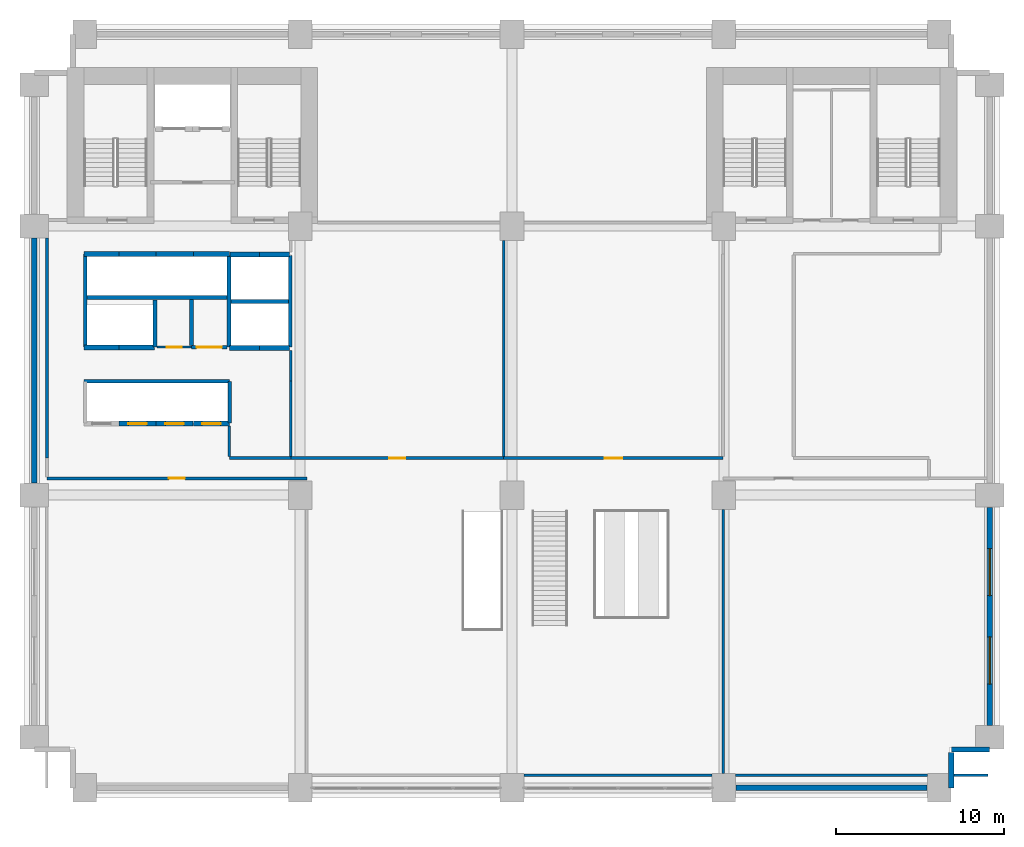
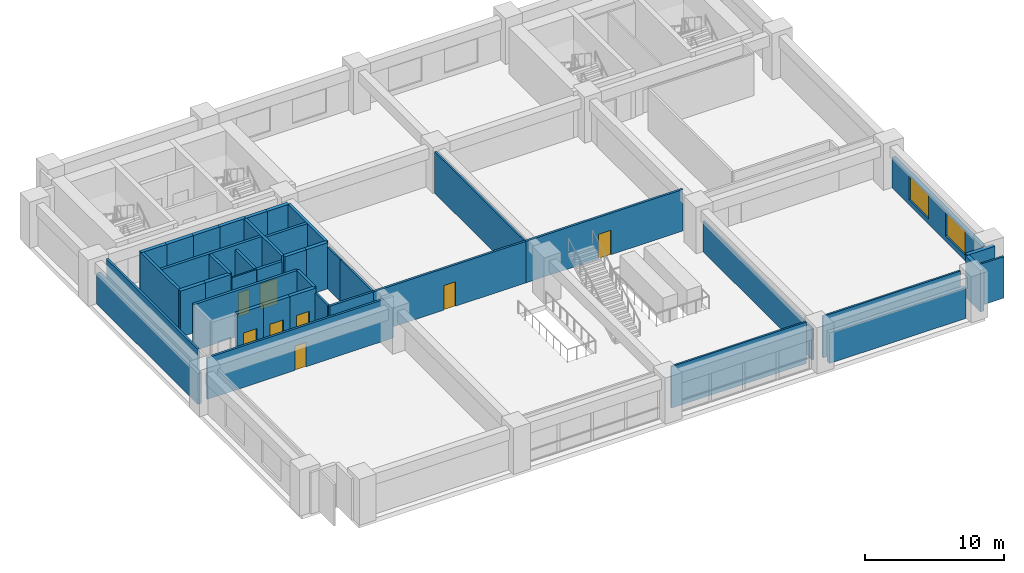
# One storey, part 5 of 11: 42 walls, 8 doors, 2 windows, 10 openings.
"""IFC4 building model written with IfcOpenShell, lengths in metres."""

from ifc_helpers import new_model, si_unit, direction, frame, frame_2d, origin, place, context, subcontext, project, spatial, rectangle, extrude, material, layer, layer_set, type_object, element, fill, save


model = new_model("IFC4")

# Units and contexts
model_context = context("Model", 3, precision=1e-05, world=origin(), true_north=direction((0.0, 1.0)))
body_context = subcontext(model_context, "Body", "Model", "MODEL_VIEW")
ifc_project = project(units=[si_unit("LENGTHUNIT", "METRE"), si_unit("AREAUNIT", "SQUARE_METRE"), si_unit("VOLUMEUNIT", "CUBIC_METRE"), si_unit("PLANEANGLEUNIT", "RADIAN"), si_unit("MASSUNIT", "GRAM", prefix="KILO")], contexts=[model_context])

# Site, building, storey
site_placement = place(None, origin())
site = spatial("IfcSite", under=ifc_project, at=site_placement, CompositionType="ELEMENT")
building_placement = place(site_placement, origin())
building = spatial("IfcBuilding", under=site, at=building_placement, Name="Sulina Concourse Tower", CompositionType="ELEMENT")
storey_placement = place(building_placement, frame((0.0, 0.0, 9.449951171875)))
storey = spatial("IfcBuildingStorey", under=building, at=storey_placement, Name="L02", CompositionType="ELEMENT", Elevation=9.449951171875)

# Walls
ifc_material_1 = material(Name="Concrete C50/60", Category="concrete")
ifc_layer_1 = layer(ifc_material_1, 0.219970703125)
ifc_layer_set_1 = layer_set([ifc_layer_1], Name="Concrete C50/60")
wall_type_1 = type_object("IfcWallType", Name="Core Lift Hoistway Divider Wall 220mm", PredefinedType="SOLIDWALL", material=ifc_layer_set_1)
wall_1_placement = place(storey_placement, frame((3.550048828125, 29.75, 0.0), z_axis=(0.0, 0.0, 1.0), x_axis=(1.0, 0.0, 0.0)))
element("IfcWall", 1, at=wall_1_placement, inside=storey, type_object=wall_type_1, Name="L02 shaft divider wall HW-LP3-S", PredefinedType="SOLIDWALL", context=body_context, shape_type="SweptSolid", body=[
    extrude(rectangle(XDim=8.64990234375, YDim=0.219970703125, at=frame_2d((4.324951171875, 0.0))), origin(), (0.0, 0.0, 1.0), 4.050048828125),
])
wall_2_placement = place(storey_placement, frame((3.6298828125, 26.800048828125, 0.0), z_axis=(0.0, 0.0, 1.0), x_axis=(0.0, 1.0, 0.0)))
element("IfcWall", 2, at=wall_2_placement, inside=storey, type_object=wall_type_1, Name="L02 shaft divider wall HW-LP3-W", PredefinedType="SOLIDWALL", context=body_context, shape_type="SweptSolid", body=[
    extrude(rectangle(XDim=5.550048828125, YDim=0.219970703125, at=frame_2d((2.77490234375, 0.0))), origin(), (0.0, 0.0, 1.0), 4.050048828125),
])
wall_3_placement = place(storey_placement, frame((7.780029296875, 26.800048828125, 0.0), z_axis=(0.0, 0.0, 1.0), x_axis=(0.0, 1.0, 0.0)))
element("IfcWall", 3, at=wall_3_placement, inside=storey, type_object=wall_type_1, Name="L02 shaft divider wall HW-EXP-E", PredefinedType="SOLIDWALL", context=body_context, shape_type="SweptSolid", body=[
    extrude(rectangle(XDim=2.800048828125, YDim=0.219970703125, at=frame_2d((1.39990234375, 0.0))), origin(), (0.0, 0.0, 1.0), 4.050048828125),
])
for number, where, z_axis, x_axis, name in (
    (4, (12.179931640625, 26.800048828125, 0.0), (0.0, 0.0, 1.0), (0.0, 1.0, 0.0), "L02 shaft divider wall HW-LP2-W"),
    (5, (15.820068359375, 26.800048828125, 0.0), (0.0, 0.0, 1.0), (0.0, 1.0, 0.0), "L02 shaft divider wall HW-LP2-E"),
):
    element("IfcWall", number, at=place(storey_placement, frame(where, z_axis=z_axis, x_axis=x_axis)), inside=storey, type_object=wall_type_1, Name=name, PredefinedType="SOLIDWALL", context=body_context, shape_type="SweptSolid", body=[
        extrude(rectangle(XDim=5.449951171875, YDim=0.219970703125, at=frame_2d((2.72509765625, 0.0))), origin(), (0.0, 0.0, 1.0), 4.050048828125),
    ])
wall_4_placement = place(storey_placement, frame((12.300048828125, 29.52001953125, 0.0), z_axis=(0.0, 0.0, 1.0), x_axis=(1.0, 0.0, 0.0)))
element("IfcWall", 6, at=wall_4_placement, inside=storey, type_object=wall_type_1, Name="L02 shaft divider wall HW-LP2-M", PredefinedType="SOLIDWALL", context=body_context, shape_type="SweptSolid", body=[
    extrude(rectangle(XDim=3.39990234375, YDim=0.219970703125, at=frame_2d((1.699951171875, 0.0))), origin(), (0.0, 0.0, 1.0), 4.050048828125),
])
wall_5_placement = place(storey_placement, frame((3.550048828125, 24.780029296875, 0.0), z_axis=(0.0, 0.0, 1.0), x_axis=(1.0, 0.0, 0.0)))
element("IfcWall", 7, at=wall_5_placement, inside=storey, type_object=wall_type_1, Name="L02 shaft divider wall HW-LP1-N", PredefinedType="SOLIDWALL", context=body_context, shape_type="SweptSolid", body=[
    extrude(rectangle(XDim=8.64990234375, YDim=0.219970703125, at=frame_2d((4.324951171875, 0.0))), origin(), (0.0, 0.0, 1.0), 4.050048828125),
])
wall_6_placement = place(storey_placement, frame((12.219970703125, 22.300048828125, 0.0), z_axis=(0.0, 0.0, 1.0), x_axis=(0.0, 1.0, 0.0)))
element("IfcWall", 8, at=wall_6_placement, inside=storey, type_object=wall_type_1, Name="L02 shaft divider wall HW-LP1-E", PredefinedType="SOLIDWALL", context=body_context, shape_type="SweptSolid", body=[
    extrude(rectangle(XDim=2.449951171875, YDim=0.219970703125, at=frame_2d((1.22509765625, 0.0))), origin(), (0.0, 0.0, 1.0), 4.050048828125),
])

# Wall, opening, door
ifc_material_2 = material(Name="Concrete C50/60", Category="concrete")
ifc_layer_2 = layer(ifc_material_2, 0.300048828125)
ifc_layer_set_2 = layer_set([ifc_layer_2], Name="Concrete C50/60")
wall_type_2 = type_object("IfcWallType", Name="Core Lift Hoistway Wall 300mm", PredefinedType="SOLIDWALL", material=ifc_layer_set_2)
wall_7_placement = place(storey_placement, frame((7.85009765625, 22.25, 0.0), z_axis=(0.0, 0.0, 1.0), x_axis=(-1.0, 0.0, 0.0)))
wall_7 = element("IfcWall", 9, at=wall_7_placement, inside=storey, type_object=wall_type_2, Name="L02 hoistway enclosure wall LP-02", PredefinedType="SOLIDWALL", context=body_context, shape_type="SweptSolid", body=[
    extrude(rectangle(XDim=2.2001953125, YDim=0.300048828125, at=frame_2d((1.10009765625, 0.0))), origin(), (0.0, 0.0, 1.0), 4.050048828125),
])
opening_1_placement = place(wall_7_placement, frame((0.550048828125, 0.0, 0.0)))
opening_1 = element("IfcOpeningElement", 10, at=opening_1_placement, cuts=wall_7, Name="Opening LD-01", PredefinedType="OPENING", context=body_context, shape_type="SweptSolid", body=[
    extrude(rectangle(XDim=1.10009765625, YDim=2.199951171875, at=frame_2d((0.550048828125, 1.10009765625))), frame((0.0, 0.159912109375, 0.0), z_axis=(0.0, -1.0, 0.0), x_axis=(1.0, 0.0, 0.0)), (0.0, 0.0, 1.0), 0.320068359375),
])
ifc_material_3 = material(Name="Stainless steel lift landing door", Category="steel")
ifc_layer_3 = layer(ifc_material_3, 0.050048828125)
ifc_layer_set_3 = layer_set([ifc_layer_3], Name="Stainless steel lift landing door")
door_type_1 = type_object("IfcDoorType", Name="Passenger Lift Sliding Landing Door 1100x2200", OperationType="SLIDING_TO_LEFT", PredefinedType="DOOR", material=ifc_layer_set_3)
door_1_placement = place(opening_1_placement, origin())
door_1 = element("IfcDoor", 11, at=door_1_placement, inside=storey, type_object=door_type_1, Name="L02 lift landing sliding door LP-02", OperationType="SLIDING_TO_RIGHT", OverallHeight=2.199951171875, OverallWidth=1.10009765625, PredefinedType="DOOR", context=body_context, shape_type="SweptSolid", body=[
    extrude(rectangle(XDim=1.10009765625, YDim=2.199951171875, at=frame_2d((0.550048828125, 1.10009765625))), frame((0.0, 0.02490234375, 0.0), z_axis=(0.0, -1.0, 0.0), x_axis=(1.0, 0.0, 0.0)), (0.0, 0.0, 1.0), 0.050048828125),
])
fill(opening_1, door_1)

wall_8_placement = place(storey_placement, frame((10.050048828125, 22.25, 0.0), z_axis=(0.0, 0.0, 1.0), x_axis=(-1.0, 0.0, 0.0)))
wall_8 = element("IfcWall", 12, at=wall_8_placement, inside=storey, type_object=wall_type_2, Name="L02 hoistway enclosure wall LP-03", PredefinedType="SOLIDWALL", context=body_context, shape_type="SweptSolid", body=[
    extrude(rectangle(XDim=2.199951171875, YDim=0.300048828125, at=frame_2d((1.10009765625, 0.0))), origin(), (0.0, 0.0, 1.0), 4.050048828125),
])
opening_2_placement = place(wall_8_placement, frame((0.550048828125, 0.0, 0.0)))
opening_2 = element("IfcOpeningElement", 13, at=opening_2_placement, cuts=wall_8, Name="Opening LD-01", PredefinedType="OPENING", context=body_context, shape_type="SweptSolid", body=[
    extrude(rectangle(XDim=1.10009765625, YDim=2.199951171875, at=frame_2d((0.550048828125, 1.10009765625))), frame((0.0, 0.159912109375, 0.0), z_axis=(0.0, -1.0, 0.0), x_axis=(1.0, 0.0, 0.0)), (0.0, 0.0, 1.0), 0.320068359375),
])
door_2_placement = place(opening_2_placement, origin())
door_2 = element("IfcDoor", 14, at=door_2_placement, inside=storey, type_object=door_type_1, Name="L02 lift landing sliding door LP-03", OperationType="SLIDING_TO_LEFT", OverallHeight=2.199951171875, OverallWidth=1.10009765625, PredefinedType="DOOR", context=body_context, shape_type="SweptSolid", body=[
    extrude(rectangle(XDim=1.10009765625, YDim=2.199951171875, at=frame_2d((0.550048828125, 1.10009765625))), frame((0.0, 0.02490234375, 0.0), z_axis=(0.0, -1.0, 0.0), x_axis=(1.0, 0.0, 0.0)), (0.0, 0.0, 1.0), 0.050048828125),
])
fill(opening_2, door_2)

wall_9_placement = place(storey_placement, frame((12.199951171875, 22.25, 0.0), z_axis=(0.0, 0.0, 1.0), x_axis=(-1.0, 0.0, 0.0)))
wall_9 = element("IfcWall", 15, at=wall_9_placement, inside=storey, type_object=wall_type_2, Name="L02 hoistway enclosure wall LP-04", PredefinedType="SOLIDWALL", context=body_context, shape_type="SweptSolid", body=[
    extrude(rectangle(XDim=2.14990234375, YDim=0.300048828125, at=frame_2d((1.074951171875, 0.0))), origin(), (0.0, 0.0, 1.0), 4.050048828125),
])
opening_3_placement = place(wall_9_placement, frame((0.52490234375, 0.0, 0.0)))
opening_3 = element("IfcOpeningElement", 16, at=opening_3_placement, cuts=wall_9, Name="Opening LD-01", PredefinedType="OPENING", context=body_context, shape_type="SweptSolid", body=[
    extrude(rectangle(XDim=1.10009765625, YDim=2.199951171875, at=frame_2d((0.550048828125, 1.10009765625))), frame((0.0, 0.159912109375, 0.0), z_axis=(0.0, -1.0, 0.0), x_axis=(1.0, 0.0, 0.0)), (0.0, 0.0, 1.0), 0.320068359375),
])
door_3_placement = place(opening_3_placement, origin())
door_3 = element("IfcDoor", 17, at=door_3_placement, inside=storey, type_object=door_type_1, Name="L02 lift landing sliding door LP-04", OperationType="SLIDING_TO_RIGHT", OverallHeight=2.199951171875, OverallWidth=1.10009765625, PredefinedType="DOOR", context=body_context, shape_type="SweptSolid", body=[
    extrude(rectangle(XDim=1.10009765625, YDim=2.199951171875, at=frame_2d((0.550048828125, 1.10009765625))), frame((0.0, 0.02490234375, 0.0), z_axis=(0.0, -1.0, 0.0), x_axis=(1.0, 0.0, 0.0)), (0.0, 0.0, 1.0), 0.050048828125),
])
fill(opening_3, door_3)

# Walls
for number, where, z_axis, x_axis, name in (
    (18, (14.0, 26.75, 0.0), (0.0, 0.0, 1.0), (-1.0, 0.0, 0.0), "L02 hoistway enclosure wall LP-05"),
    (19, (15.780029296875, 26.75, 0.0), (0.0, 0.0, 1.0), (-1.0, 0.0, 0.0), "L02 hoistway enclosure wall LP-06"),
    (20, (12.219970703125, 32.320068359375, 0.0), (0.0, 0.0, 1.0), (1.0, 0.0, 0.0), "L02 hoistway enclosure wall LP-07"),
    (21, (14.0, 32.320068359375, 0.0), (0.0, 0.0, 1.0), (1.0, 0.0, 0.0), "L02 hoistway enclosure wall LP-08"),
):
    element("IfcWall", number, at=place(storey_placement, frame(where, z_axis=z_axis, x_axis=x_axis)), inside=storey, type_object=wall_type_2, Name=name, PredefinedType="SOLIDWALL", context=body_context, shape_type="SweptSolid", body=[
        extrude(rectangle(XDim=1.780029296875, YDim=0.300048828125, at=frame_2d((0.89013671875, 0.0))), origin(), (0.0, 0.0, 1.0), 4.050048828125),
    ])
wall_10_placement = place(storey_placement, frame((3.550048828125, 32.35009765625, 0.0), z_axis=(0.0, 0.0, 1.0), x_axis=(1.0, 0.0, 0.0)))
element("IfcWall", 22, at=wall_10_placement, inside=storey, type_object=wall_type_2, Name="L02 hoistway enclosure wall LP-09", PredefinedType="SOLIDWALL", context=body_context, shape_type="SweptSolid", body=[
    extrude(rectangle(XDim=2.099853515625, YDim=0.300048828125, at=frame_2d((1.0498046875, 0.0))), origin(), (0.0, 0.0, 1.0), 4.050048828125),
])
wall_11_placement = place(storey_placement, frame((5.64990234375, 32.35009765625, 0.0), z_axis=(0.0, 0.0, 1.0), x_axis=(1.0, 0.0, 0.0)))
element("IfcWall", 23, at=wall_11_placement, inside=storey, type_object=wall_type_2, Name="L02 hoistway enclosure wall LP-10", PredefinedType="SOLIDWALL", context=body_context, shape_type="SweptSolid", body=[
    extrude(rectangle(XDim=2.2001953125, YDim=0.300048828125, at=frame_2d((1.10009765625, 0.0))), origin(), (0.0, 0.0, 1.0), 4.050048828125),
])
wall_12_placement = place(storey_placement, frame((7.85009765625, 32.35009765625, 0.0), z_axis=(0.0, 0.0, 1.0), x_axis=(1.0, 0.0, 0.0)))
element("IfcWall", 24, at=wall_12_placement, inside=storey, type_object=wall_type_2, Name="L02 hoistway enclosure wall LP-11", PredefinedType="SOLIDWALL", context=body_context, shape_type="SweptSolid", body=[
    extrude(rectangle(XDim=2.199951171875, YDim=0.300048828125, at=frame_2d((1.10009765625, 0.0))), origin(), (0.0, 0.0, 1.0), 4.050048828125),
])
wall_13_placement = place(storey_placement, frame((10.050048828125, 32.35009765625, 0.0), z_axis=(0.0, 0.0, 1.0), x_axis=(1.0, 0.0, 0.0)))
element("IfcWall", 25, at=wall_13_placement, inside=storey, type_object=wall_type_2, Name="L02 hoistway enclosure wall LP-12", PredefinedType="SOLIDWALL", context=body_context, shape_type="SweptSolid", body=[
    extrude(rectangle(XDim=2.14990234375, YDim=0.300048828125, at=frame_2d((1.074951171875, 0.0))), origin(), (0.0, 0.0, 1.0), 4.050048828125),
])
wall_14_placement = place(storey_placement, frame((5.64990234375, 26.780029296875, 0.0), z_axis=(0.0, 0.0, 1.0), x_axis=(-1.0, 0.0, 0.0)))
element("IfcWall", 26, at=wall_14_placement, inside=storey, type_object=wall_type_2, Name="L02 hoistway enclosure wall EXP-1", PredefinedType="SOLIDWALL", context=body_context, shape_type="SweptSolid", body=[
    extrude(rectangle(XDim=2.099853515625, YDim=0.300048828125, at=frame_2d((1.0498046875, 0.0))), origin(), (0.0, 0.0, 1.0), 4.050048828125),
])
wall_15_placement = place(storey_placement, frame((7.75, 26.780029296875, 0.0), z_axis=(0.0, 0.0, 1.0), x_axis=(-1.0, 0.0, 0.0)))
element("IfcWall", 27, at=wall_15_placement, inside=storey, type_object=wall_type_2, Name="L02 hoistway enclosure wall EXP-2", PredefinedType="SOLIDWALL", context=body_context, shape_type="SweptSolid", body=[
    extrude(rectangle(XDim=2.10009765625, YDim=0.300048828125, at=frame_2d((1.050048828125, 0.0))), origin(), (0.0, 0.0, 1.0), 4.050048828125),
])

# Wall, opening, door
ifc_material_4 = material(Name="Gypsum board on steel stud", Category="steel")
ifc_layer_4 = layer(ifc_material_4, 0.219970703125)
ifc_layer_set_4 = layer_set([ifc_layer_4], Name="Gypsum board on steel stud")
wall_type_3 = type_object("IfcWallType", Name="Fire-Rated Lobby & Compartment Wall 220mm", PredefinedType="PARTITIONING", material=ifc_layer_set_4)
wall_16_placement = place(storey_placement, frame((9.949951171875, 26.800048828125, 0.0), z_axis=(0.0, 0.0, 1.0), x_axis=(1.0, 0.0, 0.0)))
wall_16 = element("IfcWall", 28, at=wall_16_placement, inside=storey, type_object=wall_type_3, Name="L02 interior partition 013", PredefinedType="PARTITIONING", context=body_context, shape_type="SweptSolid", body=[
    extrude(rectangle(XDim=2.10009765625, YDim=0.219970703125, at=frame_2d((1.050048828125, 0.0))), origin(), (0.0, 0.0, 1.0), 3.650146484375),
])
opening_4_placement = place(wall_16_placement, frame((0.300048828125, 0.0, 0.0)))
opening_4 = element("IfcOpeningElement", 29, at=opening_4_placement, cuts=wall_16, Name="Opening DR-80", PredefinedType="OPENING", context=body_context, shape_type="SweptSolid", body=[
    extrude(rectangle(XDim=1.5, YDim=2.25, at=frame_2d((0.75, 1.125))), frame((0.0, 0.119873046875, 0.0), z_axis=(0.0, -1.0, 0.0), x_axis=(1.0, 0.0, 0.0)), (0.0, 0.0, 1.0), 0.239990234375),
])
ifc_material_5 = material(Name="Galvanised steel acoustic fire leaf", Category="steel")
ifc_layer_5 = layer(ifc_material_5, 0.054931640625)
ifc_layer_set_5 = layer_set([ifc_layer_5], Name="Galvanised steel acoustic fire leaf")
door_type_2 = type_object("IfcDoorType", Name="Mechanical Plant Double Fire Door 1500x2250", OperationType="DOUBLE_DOOR_SINGLE_SWING", PredefinedType="DOOR", material=ifc_layer_set_5)
door_4_placement = place(opening_4_placement, origin())
door_4 = element("IfcDoor", 30, at=door_4_placement, inside=storey, type_object=door_type_2, Name="L02 interior door L02-IT-IDF", OperationType="DOUBLE_DOOR_SINGLE_SWING", OverallHeight=2.25, OverallWidth=1.5, PredefinedType="DOOR", context=body_context, shape_type="SweptSolid", body=[
    extrude(rectangle(XDim=1.5, YDim=2.25, at=frame_2d((0.75, 1.125))), frame((0.0, 0.02490234375, 0.0), z_axis=(0.0, -1.0, 0.0), x_axis=(1.0, 0.0, 0.0)), (0.0, 0.0, 1.0), 0.050048828125),
])
fill(opening_4, door_4)

# Walls
wall_17_placement = place(storey_placement, frame((9.949951171875, 26.909912109375, 0.0), z_axis=(0.0, 0.0, 1.0), x_axis=(0.0, 1.0, 0.0)))
element("IfcWall", 31, at=wall_17_placement, inside=storey, type_object=wall_type_3, Name="L02 interior partition 024", PredefinedType="PARTITIONING", context=body_context, shape_type="SweptSolid", body=[
    extrude(rectangle(XDim=2.72998046875, YDim=0.219970703125, at=frame_2d((1.364990234375, 0.0))), origin(), (0.0, 0.0, 1.0), 3.650146484375),
])
ifc_material_6 = material(Name="Gypsum board on steel stud", Category="steel")
ifc_layer_6 = layer(ifc_material_6, 0.14990234375)
ifc_layer_set_6 = layer_set([ifc_layer_6], Name="Gypsum board on steel stud")
wall_type_4 = type_object("IfcWallType", Name="Inter-Tenancy Acoustic Partition 150mm", PredefinedType="PARTITIONING", material=ifc_layer_set_6)
wall_18_placement = place(storey_placement, frame((29.699951171875, 1.35009765625, 0.0), z_axis=(0.0, 0.0, 1.0), x_axis=(1.0, 0.0, 0.0)))
element("IfcWall", 32, at=wall_18_placement, inside=storey, type_object=wall_type_4, Name="L02 interior partition 002", PredefinedType="PARTITIONING", context=body_context, shape_type="SweptSolid", body=[
    extrude(rectangle(XDim=11.199951171875, YDim=0.14990234375, at=frame_2d((5.60009765625, 0.0))), origin(), (0.0, 0.0, 1.0), 3.650146484375),
])
wall_19_placement = place(storey_placement, frame((42.300048828125, 1.35009765625, 0.0), z_axis=(0.0, 0.0, 1.0), x_axis=(1.0, 0.0, 0.0)))
element("IfcWall", 33, at=wall_19_placement, inside=storey, type_object=wall_type_4, Name="L02 interior partition 003", PredefinedType="PARTITIONING", context=body_context, shape_type="SweptSolid", body=[
    extrude(rectangle(XDim=11.39990234375, YDim=0.14990234375, at=frame_2d((5.699951171875, 0.0))), origin(), (0.0, 0.0, 1.0), 3.650146484375),
])
wall_20_placement = place(storey_placement, frame((55.280029296875, 1.35009765625, 0.0), z_axis=(0.0, 0.0, 1.0), x_axis=(1.0, 0.0, 0.0)))
element("IfcWall", 34, at=wall_20_placement, inside=storey, type_object=wall_type_4, Name="L02 interior partition 004", PredefinedType="PARTITIONING", context=body_context, shape_type="SweptSolid", body=[
    extrude(rectangle(XDim=2.02001953125, YDim=0.14990234375, at=frame_2d((1.010009765625, 0.0))), origin(), (0.0, 0.0, 1.0), 3.650146484375),
])
wall_21_placement = place(storey_placement, frame((12.199951171875, 20.2900390625, 0.0), z_axis=(0.0, 0.0, 1.0), x_axis=(0.0, 1.0, 0.0)))
element("IfcWall", 35, at=wall_21_placement, inside=storey, type_object=wall_type_4, Name="L02 interior partition 025", PredefinedType="PARTITIONING", context=body_context, shape_type="SweptSolid", body=[
    extrude(rectangle(XDim=1.81005859375, YDim=0.14990234375, at=frame_2d((0.905029296875, 0.0))), origin(), (0.0, 0.0, 1.0), 3.650146484375),
])
wall_22_placement = place(storey_placement, frame((15.85009765625, 20.2900390625, 0.0), z_axis=(0.0, 0.0, 1.0), x_axis=(0.0, 1.0, 0.0)))
element("IfcWall", 36, at=wall_22_placement, inside=storey, type_object=wall_type_4, Name="L02 interior partition 026", PredefinedType="PARTITIONING", context=body_context, shape_type="SweptSolid", body=[
    extrude(rectangle(XDim=4.510009765625, YDim=0.14990234375, at=frame_2d((2.2548828125, 0.0))), origin(), (0.0, 0.0, 1.0), 3.650146484375),
])
wall_23_placement = place(storey_placement, frame((15.85009765625, 24.800048828125, 0.0), z_axis=(0.0, 0.0, 1.0), x_axis=(0.0, 1.0, 0.0)))
element("IfcWall", 37, at=wall_23_placement, inside=storey, type_object=wall_type_4, Name="L02 interior partition 027", PredefinedType="PARTITIONING", context=body_context, shape_type="SweptSolid", body=[
    extrude(rectangle(XDim=1.800048828125, YDim=0.14990234375, at=frame_2d((0.89990234375, 0.0))), origin(), (0.0, 0.0, 1.0), 3.650146484375),
])
wall_24_placement = place(storey_placement, frame((28.5, 20.2900390625, 0.0), z_axis=(0.0, 0.0, 1.0), x_axis=(0.0, 1.0, 0.0)))
element("IfcWall", 38, at=wall_24_placement, inside=storey, type_object=wall_type_4, Name="L02 interior partition 030", PredefinedType="PARTITIONING", context=body_context, shape_type="SweptSolid", body=[
    extrude(rectangle(XDim=12.85986328125, YDim=0.14990234375, at=frame_2d((6.429931640625, 0.0))), origin(), (0.0, 0.0, 1.0), 3.650146484375),
])
wall_25_placement = place(storey_placement, frame((41.550048828125, 1.449951171875, 0.0), z_axis=(0.0, 0.0, 1.0), x_axis=(0.0, 1.0, 0.0)))
element("IfcWall", 39, at=wall_25_placement, inside=storey, type_object=wall_type_4, Name="L02 interior partition 031", PredefinedType="PARTITIONING", context=body_context, shape_type="SweptSolid", body=[
    extrude(rectangle(XDim=15.699951171875, YDim=0.14990234375, at=frame_2d((7.85009765625, 0.0))), origin(), (0.0, 0.0, 1.0), 2.695068359375),
])
ifc_material_7 = material(Name="Precast concrete C50/60", Category="concrete")
ifc_layer_7 = layer(ifc_material_7, 0.320068359375)
ifc_layer_set_7 = layer_set([ifc_layer_7], Name="Precast concrete C50/60")
wall_type_5 = type_object("IfcWallType", Name="Lower Precast Masonry-Frame Facade Wall 320mm", PredefinedType="SOLIDWALL", material=ifc_layer_set_7)
wall_26_placement = place(storey_placement, frame((53.679931640625, 0.60009765625, 0.0), z_axis=(0.0, 0.0, 1.0), x_axis=(-1.0, 0.0, 0.0)))
element("IfcWall", 40, at=wall_26_placement, inside=storey, type_object=wall_type_5, Name="L02 exterior precast wall S4", PredefinedType="SOLIDWALL", context=body_context, shape_type="SweptSolid", body=[
    extrude(rectangle(XDim=11.35986328125, YDim=0.320068359375, at=frame_2d((5.679931640625, 0.0))), origin(), (0.0, 0.0, 1.0), 2.699951171875),
])
wall_27_placement = place(storey_placement, frame((0.60009765625, 18.719970703125, 0.0), z_axis=(0.0, 0.0, 1.0), x_axis=(0.0, 1.0, 0.0)))
element("IfcWall", 41, at=wall_27_placement, inside=storey, type_object=wall_type_5, Name="L02 exterior precast wall W2", PredefinedType="SOLIDWALL", context=body_context, shape_type="SweptSolid", body=[
    extrude(rectangle(XDim=14.56005859375, YDim=0.320068359375, at=frame_2d((7.280029296875, 0.0))), origin(), (0.0, 0.0, 1.0), 2.699951171875),
])

# Wall, openings, windows
wall_28_placement = place(storey_placement, frame((57.39990234375, 17.280029296875, 0.0), z_axis=(0.0, 0.0, 1.0), x_axis=(0.0, -1.0, 0.0)))
wall_28 = element("IfcWall", 42, at=wall_28_placement, inside=storey, type_object=wall_type_5, Name="L02 exterior precast wall E1", PredefinedType="SOLIDWALL", context=body_context, shape_type="SweptSolid", body=[
    extrude(rectangle(XDim=12.9599609375, YDim=0.320068359375, at=frame_2d((6.47998046875, 0.0))), origin(), (0.0, 0.0, 1.0), 2.699951171875),
])
opening_5_placement = place(wall_28_placement, frame((2.453369140625, 0.0, 0.449951171875)))
opening_5 = element("IfcOpeningElement", 43, at=opening_5_placement, cuts=wall_28, Name="Opening WN-83", PredefinedType="OPENING", context=body_context, shape_type="SweptSolid", body=[
    extrude(rectangle(XDim=2.800048828125, YDim=2.10009765625, at=frame_2d((1.39990234375, 1.050048828125))), frame((0.0, 0.169921875, 0.0), z_axis=(0.0, -1.0, 0.0), x_axis=(1.0, 0.0, 0.0)), (0.0, 0.0, 1.0), 0.340087890625),
])
opening_6_placement = place(wall_28_placement, frame((7.706787109375, 0.0, 0.449951171875)))
opening_6 = element("IfcOpeningElement", 44, at=opening_6_placement, cuts=wall_28, Name="Opening WN-83", PredefinedType="OPENING", context=body_context, shape_type="SweptSolid", body=[
    extrude(rectangle(XDim=2.800048828125, YDim=2.10009765625, at=frame_2d((1.39990234375, 1.050048828125))), frame((0.0, 0.169921875, 0.0), z_axis=(0.0, -1.0, 0.0), x_axis=(1.0, 0.0, 0.0)), (0.0, 0.0, 1.0), 0.340087890625),
])
ifc_material_8 = material(Name="Low-E solar double glazing in bronze aluminium", Category="aluminium")
window_type = type_object("IfcWindowType", Name="Station Podium Clerestory Window 2800x2100", PartitioningType="TRIPLE_PANEL_VERTICAL", PredefinedType="WINDOW", material=ifc_material_8)
window_1_placement = place(opening_5_placement, origin())
window_1 = element("IfcWindow", 45, at=window_1_placement, inside=storey, type_object=window_type, Name="L02 punched window E1-1", OverallHeight=2.10009765625, OverallWidth=2.800048828125, PartitioningType="SINGLE_PANEL", PredefinedType="WINDOW", context=body_context, shape_type="SweptSolid", body=[
    extrude(rectangle(XDim=2.800048828125, YDim=2.10009765625, at=frame_2d((1.39990234375, 1.050048828125))), frame((0.0, 0.030029296875, 0.0), z_axis=(0.0, -1.0, 0.0), x_axis=(1.0, 0.0, 0.0)), (0.0, 0.0, 1.0), 0.06005859375),
])
fill(opening_5, window_1)
window_2_placement = place(opening_6_placement, origin())
window_2 = element("IfcWindow", 46, at=window_2_placement, inside=storey, type_object=window_type, Name="L02 punched window E1-2", OverallHeight=2.10009765625, OverallWidth=2.800048828125, PartitioningType="SINGLE_PANEL", PredefinedType="WINDOW", context=body_context, shape_type="SweptSolid", body=[
    extrude(rectangle(XDim=2.800048828125, YDim=2.10009765625, at=frame_2d((1.39990234375, 1.050048828125))), frame((0.0, 0.030029296875, 0.0), z_axis=(0.0, -1.0, 0.0), x_axis=(1.0, 0.0, 0.0)), (0.0, 0.0, 1.0), 0.06005859375),
])
fill(opening_6, window_2)

# Walls
wall_29_placement = place(storey_placement, frame((57.39990234375, 2.8798828125, 0.0), z_axis=(0.0, 0.0, 1.0), x_axis=(-1.0, 0.0, 0.0)))
element("IfcWall", 47, at=wall_29_placement, inside=storey, type_object=wall_type_5, Name="L02 exterior precast wall CSE1", PredefinedType="SOLIDWALL", context=body_context, shape_type="SweptSolid", body=[
    extrude(rectangle(XDim=2.27978515625, YDim=0.320068359375, at=frame_2d((1.139892578125, 0.0))), origin(), (0.0, 0.0, 1.0), 3.650146484375),
])
wall_30_placement = place(storey_placement, frame((55.1201171875, 2.715087890625, 0.0), z_axis=(0.0, 0.0, 1.0), x_axis=(0.0, -1.0, 0.0)))
element("IfcWall", 48, at=wall_30_placement, inside=storey, type_object=wall_type_5, Name="L02 exterior precast wall CSE2", PredefinedType="SOLIDWALL", context=body_context, shape_type="SweptSolid", body=[
    extrude(rectangle(XDim=2.114990234375, YDim=0.320068359375, at=frame_2d((1.0576171875, 0.0))), origin(), (0.0, 0.0, 1.0), 3.650146484375),
])

# Wall, opening, door
ifc_material_9 = material(Name="Gypsum board on steel stud", Category="steel")
ifc_layer_8 = layer(ifc_material_9, 0.179931640625)
ifc_layer_set_8 = layer_set([ifc_layer_8], Name="Gypsum board on steel stud")
wall_type_6 = type_object("IfcWallType", Name="Protected Corridor & Riser Partition 180mm", PredefinedType="PARTITIONING", material=ifc_layer_set_8)
wall_31_placement = place(storey_placement, frame((1.35009765625, 19.0, 0.0), z_axis=(0.0, 0.0, 1.0), x_axis=(1.0, 0.0, 0.0)))
wall_31 = element("IfcWall", 49, at=wall_31_placement, inside=storey, type_object=wall_type_6, Name="L02 interior partition 005", PredefinedType="PARTITIONING", context=body_context, shape_type="SweptSolid", body=[
    extrude(rectangle(XDim=15.449951171875, YDim=0.179931640625, at=frame_2d((7.72509765625, 0.0))), origin(), (0.0, 0.0, 1.0), 3.650146484375),
])
opening_7_placement = place(wall_31_placement, frame((7.25, 0.0, 0.0)))
opening_7 = element("IfcOpeningElement", 50, at=opening_7_placement, cuts=wall_31, Name="Opening DR-19", PredefinedType="OPENING", context=body_context, shape_type="SweptSolid", body=[
    extrude(rectangle(XDim=0.949951171875, YDim=2.14990234375, at=frame_2d((0.47509765625, 1.074951171875))), frame((0.0, 0.099853515625, 0.0), z_axis=(0.0, -1.0, 0.0), x_axis=(1.0, 0.0, 0.0)), (0.0, 0.0, 1.0), 0.199951171875),
])
ifc_material_10 = material(Name="Oak-veneered acoustic timber leaf", Category="wood")
ifc_layer_9 = layer(ifc_material_10, 0.050048828125)
ifc_layer_set_9 = layer_set([ifc_layer_9], Name="Oak-veneered acoustic timber leaf")
door_type_3 = type_object("IfcDoorType", Name="Cellular Office & Meeting Door 950x2150", OperationType="NOTDEFINED", PredefinedType="DOOR", material=ifc_layer_set_9)
door_5_placement = place(opening_7_placement, origin())
door_5 = element("IfcDoor", 51, at=door_5_placement, inside=storey, type_object=door_type_3, Name="L02 interior door L02-RET-W", OperationType="SINGLE_SWING_LEFT", OverallHeight=2.14990234375, OverallWidth=0.949951171875, PredefinedType="DOOR", context=body_context, shape_type="SweptSolid", body=[
    extrude(rectangle(XDim=0.949951171875, YDim=2.14990234375, at=frame_2d((0.47509765625, 1.074951171875))), frame((0.0, 0.02490234375, 0.0), z_axis=(0.0, -1.0, 0.0), x_axis=(1.0, 0.0, 0.0)), (0.0, 0.0, 1.0), 0.050048828125),
])
fill(opening_7, door_5)

# Wall
wall_32_placement = place(storey_placement, frame((12.199951171875, 20.199951171875, 0.0), z_axis=(0.0, 0.0, 1.0), x_axis=(1.0, 0.0, 0.0)))
element("IfcWall", 52, at=wall_32_placement, inside=storey, type_object=wall_type_6, Name="L02 interior partition 008", PredefinedType="PARTITIONING", context=body_context, shape_type="SweptSolid", body=[
    extrude(rectangle(XDim=3.650146484375, YDim=0.179931640625, at=frame_2d((1.8251953125, 0.0))), origin(), (0.0, 0.0, 1.0), 3.650146484375),
])

# Wall, opening, door
wall_33_placement = place(storey_placement, frame((15.85009765625, 20.199951171875, 0.0), z_axis=(0.0, 0.0, 1.0), x_axis=(1.0, 0.0, 0.0)))
wall_33 = element("IfcWall", 53, at=wall_33_placement, inside=storey, type_object=wall_type_6, Name="L02 interior partition 009", PredefinedType="PARTITIONING", context=body_context, shape_type="SweptSolid", body=[
    extrude(rectangle(XDim=12.64990234375, YDim=0.179931640625, at=frame_2d((6.324951171875, 0.0))), origin(), (0.0, 0.0, 1.0), 3.650146484375),
])
opening_8_placement = place(wall_33_placement, frame((5.85009765625, 0.0, 0.0)))
opening_8 = element("IfcOpeningElement", 54, at=opening_8_placement, cuts=wall_33, Name="Opening DR-19", PredefinedType="OPENING", context=body_context, shape_type="SweptSolid", body=[
    extrude(rectangle(XDim=0.949951171875, YDim=2.14990234375, at=frame_2d((0.47509765625, 1.074951171875))), frame((0.0, 0.099853515625, 0.0), z_axis=(0.0, -1.0, 0.0), x_axis=(1.0, 0.0, 0.0)), (0.0, 0.0, 1.0), 0.199951171875),
])
door_6_placement = place(opening_8_placement, origin())
door_6 = element("IfcDoor", 55, at=door_6_placement, inside=storey, type_object=door_type_3, Name="L02 interior door L02-MTG-ST", OperationType="SINGLE_SWING_LEFT", OverallHeight=2.14990234375, OverallWidth=0.949951171875, PredefinedType="DOOR", context=body_context, shape_type="SweptSolid", body=[
    extrude(rectangle(XDim=0.949951171875, YDim=2.14990234375, at=frame_2d((0.47509765625, 1.074951171875))), frame((0.0, 0.02490234375, 0.0), z_axis=(0.0, -1.0, 0.0), x_axis=(1.0, 0.0, 0.0)), (0.0, 0.0, 1.0), 0.050048828125),
])
fill(opening_8, door_6)

wall_34_placement = place(storey_placement, frame((28.5, 20.199951171875, 0.0), z_axis=(0.0, 0.0, 1.0), x_axis=(1.0, 0.0, 0.0)))
wall_34 = element("IfcWall", 56, at=wall_34_placement, inside=storey, type_object=wall_type_6, Name="L02 interior partition 010", PredefinedType="PARTITIONING", context=body_context, shape_type="SweptSolid", body=[
    extrude(rectangle(XDim=13.050048828125, YDim=0.179931640625, at=frame_2d((6.52490234375, 0.0))), origin(), (0.0, 0.0, 1.0), 3.650146484375),
])
opening_9_placement = place(wall_34_placement, frame((6.0, 0.0, 0.0)))
opening_9 = element("IfcOpeningElement", 57, at=opening_9_placement, cuts=wall_34, Name="Opening DR-37", PredefinedType="OPENING", context=body_context, shape_type="SweptSolid", body=[
    extrude(rectangle(XDim=1.050048828125, YDim=2.14990234375, at=frame_2d((0.52490234375, 1.074951171875))), frame((0.0, 0.099853515625, 0.0), z_axis=(0.0, -1.0, 0.0), x_axis=(1.0, 0.0, 0.0)), (0.0, 0.0, 1.0), 0.199951171875),
])
ifc_material_11 = material(Name="Oak-veneered fire door leaf")
ifc_layer_10 = layer(ifc_material_11, 0.050048828125)
ifc_layer_set_10 = layer_set([ifc_layer_10], Name="Oak-veneered fire door leaf")
door_type_4 = type_object("IfcDoorType", Name="Tenant Suite Entrance Fire Door 1050x2150", OperationType="NOTDEFINED", PredefinedType="DOOR", material=ifc_layer_set_10)
door_7_placement = place(opening_9_placement, origin())
door_7 = element("IfcDoor", 58, at=door_7_placement, inside=storey, type_object=door_type_4, Name="L02 interior door L02-PNT-ST", OperationType="SINGLE_SWING_RIGHT", OverallHeight=2.14990234375, OverallWidth=1.050048828125, PredefinedType="DOOR", context=body_context, shape_type="SweptSolid", body=[
    extrude(rectangle(XDim=1.050048828125, YDim=2.14990234375, at=frame_2d((0.52490234375, 1.074951171875))), frame((0.0, 0.02490234375, 0.0), z_axis=(0.0, -1.0, 0.0), x_axis=(1.0, 0.0, 0.0)), (0.0, 0.0, 1.0), 0.050048828125),
])
fill(opening_9, door_7)

# Wall
wall_35_placement = place(storey_placement, frame((1.35009765625, 20.199951171875, 0.0), z_axis=(0.0, 0.0, 1.0), x_axis=(0.0, 1.0, 0.0)))
element("IfcWall", 59, at=wall_35_placement, inside=storey, type_object=wall_type_6, Name="L02 interior partition 023", PredefinedType="PARTITIONING", context=body_context, shape_type="SweptSolid", body=[
    extrude(rectangle(XDim=13.10009765625, YDim=0.179931640625, at=frame_2d((6.550048828125, 0.0))), origin(), (0.0, 0.0, 1.0), 3.650146484375),
])

# Wall, opening, door
ifc_material_12 = material(Name="Gypsum board on steel stud", Category="steel")
ifc_layer_11 = layer(ifc_material_12, 0.125)
ifc_layer_set_11 = layer_set([ifc_layer_11], Name="Gypsum board on steel stud")
wall_type_7 = type_object("IfcWallType", Name="Wet-Area Moisture-Resistant Partition 125mm", PredefinedType="PARTITIONING", material=ifc_layer_set_11)
wall_36_placement = place(storey_placement, frame((7.889892578125, 26.800048828125, 0.0), z_axis=(0.0, 0.0, 1.0), x_axis=(1.0, 0.0, 0.0)))
wall_36 = element("IfcWall", 60, at=wall_36_placement, inside=storey, type_object=wall_type_7, Name="L02 interior partition 012", PredefinedType="PARTITIONING", context=body_context, shape_type="SweptSolid", body=[
    extrude(rectangle(XDim=2.06005859375, YDim=0.125, at=frame_2d((1.030029296875, 0.0))), origin(), (0.0, 0.0, 1.0), 3.650146484375),
])
opening_10_placement = place(wall_36_placement, frame((0.570068359375, 0.0, 0.0)))
opening_10 = element("IfcOpeningElement", 61, at=opening_10_placement, cuts=wall_36, Name="Opening DR-61", PredefinedType="OPENING", context=body_context, shape_type="SweptSolid", body=[
    extrude(rectangle(XDim=0.919921875, YDim=2.10009765625, at=frame_2d((0.4599609375, 1.050048828125))), frame((0.0, 0.072509765625, 0.0), z_axis=(0.0, -1.0, 0.0), x_axis=(1.0, 0.0, 0.0)), (0.0, 0.0, 1.0), 0.14501953125),
])
ifc_material_13 = material(Name="Oak-veneered fire door leaf")
ifc_layer_12 = layer(ifc_material_13, 0.050048828125)
ifc_layer_set_12 = layer_set([ifc_layer_12], Name="Oak-veneered fire door leaf")
door_type_5 = type_object("IfcDoorType", Name="Accessible WC Door 920x2100", OperationType="NOTDEFINED", PredefinedType="DOOR", material=ifc_layer_set_12)
door_8_placement = place(opening_10_placement, origin())
door_8 = element("IfcDoor", 62, at=door_8_placement, inside=storey, type_object=door_type_5, Name="L02 interior door L02-WC-ACC", OperationType="SINGLE_SWING_LEFT", OverallHeight=2.10009765625, OverallWidth=0.919921875, PredefinedType="DOOR", context=body_context, shape_type="SweptSolid", body=[
    extrude(rectangle(XDim=0.919921875, YDim=2.10009765625, at=frame_2d((0.4599609375, 1.050048828125))), frame((0.0, 0.02490234375, 0.0), z_axis=(0.0, -1.0, 0.0), x_axis=(1.0, 0.0, 0.0)), (0.0, 0.0, 1.0), 0.050048828125),
])
fill(opening_10, door_8)

save(model, "model.ifc")
